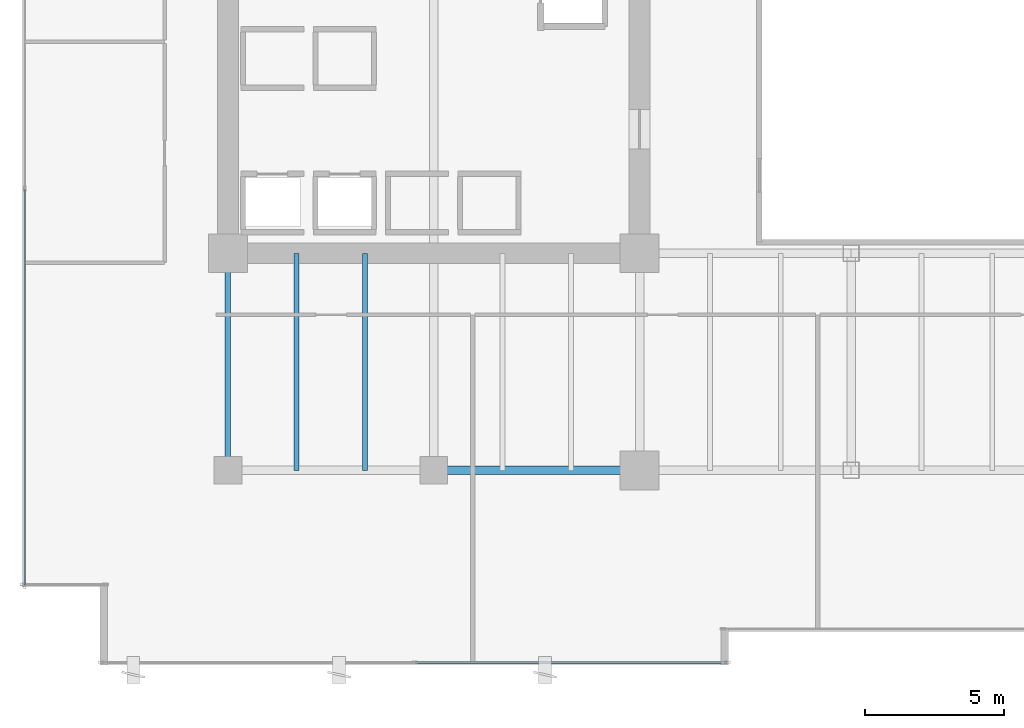
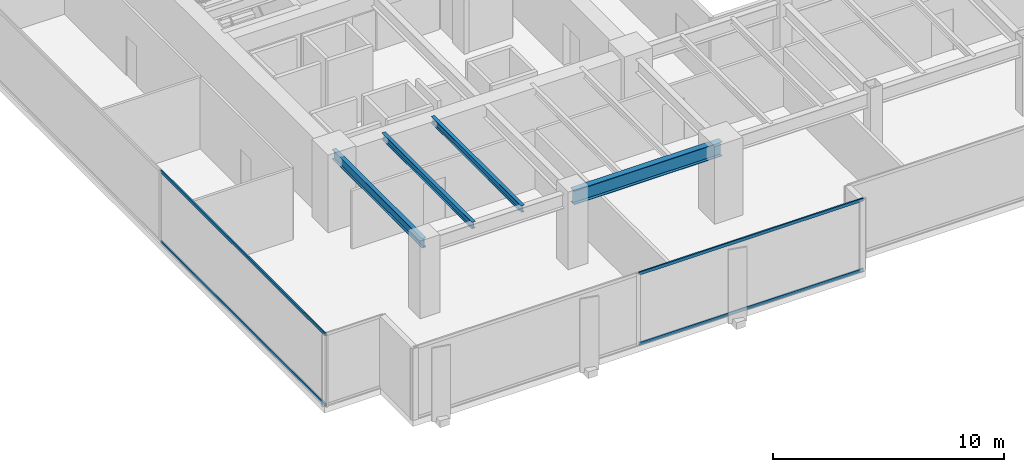
# One storey, part 3 of 36: 4 beams, 4 members, 2 elements without a shape of their own.
"""IFC4 building model written with IfcOpenShell, lengths in metres."""

from ifc_helpers import new_model, si_unit, direction, frame, origin, origin_2d, place, context, subcontext, project, spatial, hollow_rectangle, i_section, extrude, source, transform, mapped, material, layer, layer_set, material_profile, profile_set, type_object, type_shapes, element, aggregate, save


model = new_model("IFC4")

# Units and contexts
model_context = context("Model", 3, precision=1e-05, world=origin(), true_north=direction((0.0, 1.0)))
body_context = subcontext(model_context, "Body", "Model", "MODEL_VIEW")
ifc_project = project(units=[si_unit("LENGTHUNIT", "METRE"), si_unit("AREAUNIT", "SQUARE_METRE"), si_unit("VOLUMEUNIT", "CUBIC_METRE"), si_unit("PLANEANGLEUNIT", "RADIAN"), si_unit("MASSUNIT", "GRAM", prefix="KILO")], contexts=[model_context])

# Site, building, storey
site_placement = place(None, origin())
site = spatial("IfcSite", under=ifc_project, at=site_placement, CompositionType="ELEMENT")
building_placement = place(site_placement, origin())
building = spatial("IfcBuilding", under=site, at=building_placement, Name="Haelvirn Gate Laboratories", CompositionType="ELEMENT")
storey_placement = place(building_placement, frame((0.0, 0.0, 29.300048828125)))
storey = spatial("IfcBuildingStorey", under=building, at=storey_placement, Name="L07", CompositionType="ELEMENT", Elevation=29.300048828125)

# Beams
ifc_material_1 = material(Name="Steel SM355", Category="steel")
ifc_material_profile_1 = material_profile(ifc_material_1, i_section(OverallWidth=0.300048828125, OverallDepth=0.75, WebThickness=0.013916015625, FlangeThickness=0.02392578125, at=origin_2d()), Name="H-750x300x14x24")
ifc_profile_set_1 = profile_set([ifc_material_profile_1], Name="Steel SM355")
beam_type_1 = type_object("IfcBeamType", Name="BM-G-750", PredefinedType="BEAM", material=ifc_profile_set_1)
shared_shape_1 = source(origin(), body_context, "Body", "SweptSolid", [
    extrude(i_section(OverallWidth=0.300048828125, OverallDepth=0.75, WebThickness=0.013916015625, FlangeThickness=0.02392578125, at=origin_2d()), origin(), (0.0, 0.0, 1.0), 7.39990234375),
])
type_shapes(beam_type_1, [shared_shape_1])
beam_1_placement = place(storey_placement, frame((14.800048828125, 7.0, 3.405029296875), z_axis=(1.0, 0.0, 0.0), x_axis=(0.0, 1.0, 0.0)))
element("IfcBeam", 1, at=beam_1_placement, inside=storey, type_object=beam_type_1, Name="L07 Primary Girder Y7.0 (14.8-22.2)", PredefinedType="BEAM", context=body_context, shape_type="MappedRepresentation", body=[
    mapped(shared_shape_1, transform((0.0, 0.0, 0.0), scale=1.0)),
])
ifc_material_profile_2 = material_profile(ifc_material_1, i_section(OverallWidth=0.199951171875, OverallDepth=0.5, WebThickness=0.010009765625, FlangeThickness=0.01611328125, at=origin_2d()), Name="H-500x200x10x16")
ifc_profile_set_2 = profile_set([ifc_material_profile_2], Name="Steel SM355")
beam_type_2 = type_object("IfcBeamType", Name="BM-SP-500", PredefinedType="SPANDREL", material=ifc_profile_set_2)
shared_shape_2 = source(origin(), body_context, "Body", "SweptSolid", [
    extrude(i_section(OverallWidth=0.199951171875, OverallDepth=0.5, WebThickness=0.010009765625, FlangeThickness=0.01611328125, at=origin_2d()), origin(), (0.0, 0.0, 1.0), 7.800048828125),
])
type_shapes(beam_type_2, [shared_shape_2])
beam_2_placement = place(storey_placement, frame((7.39990234375, 7.0, 3.530029296875), z_axis=(0.0, 1.0, 0.0), x_axis=(-1.0, 0.0, 0.0)))
element("IfcBeam", 2, at=beam_2_placement, inside=storey, type_object=beam_type_2, Name="L07 Perimeter Spandrel X7.4 (7.0-14.8)", PredefinedType="SPANDREL", context=body_context, shape_type="MappedRepresentation", body=[
    mapped(shared_shape_2, transform((0.0, 0.0, 0.0), scale=1.0)),
])
ifc_material_profile_3 = material_profile(ifc_material_1, i_section(OverallWidth=0.175048828125, OverallDepth=0.35009765625, WebThickness=0.007080078125, FlangeThickness=0.010986328125, at=origin_2d()), Name="H-350x175x7x11")
ifc_profile_set_3 = profile_set([ifc_material_profile_3], Name="Steel SM355")
beam_type_3 = type_object("IfcBeamType", Name="BM-J-350", PredefinedType="JOIST", material=ifc_profile_set_3)
shared_shape_3 = source(origin(), body_context, "Body", "SweptSolid", [
    extrude(i_section(OverallWidth=0.175048828125, OverallDepth=0.35009765625, WebThickness=0.007080078125, FlangeThickness=0.010986328125, at=origin_2d()), origin(), (0.0, 0.0, 1.0), 7.800048828125),
])
type_shapes(beam_type_3, [shared_shape_3])
for number, where, z_axis, x_axis, name in (
    (3, (9.8701171875, 7.0, 3.60498046875), (0.0, 1.0, 0.0), (-1.0, 0.0, 0.0), "L07 Composite Lab Joist South X9.87"),
    (4, (12.330078125, 7.0, 3.60498046875), (0.0, 1.0, 0.0), (-1.0, 0.0, 0.0), "L07 Composite Lab Joist South X12.33"),
):
    element("IfcBeam", number, at=place(storey_placement, frame(where, z_axis=z_axis, x_axis=x_axis)), inside=storey, type_object=beam_type_3, Name=name, PredefinedType="JOIST", context=body_context, shape_type="MappedRepresentation", body=[
        mapped(shared_shape_3, transform((0.0, 0.0, 0.0), scale=1.0)),
    ])

# Curtain wall, members
ifc_material_2 = material(Name="Anodised bronze unitised aluminium & triple low-E glass", Category="aluminium")
ifc_layer = layer(ifc_material_2, 0.18408203125, Name="CW-SYS-2")
ifc_layer_set = layer_set([ifc_layer], Name="Anodised bronze unitised aluminium & triple low-E glass")
curtain_wall_type = type_object("IfcCurtainWallType", Name="CW-SYS-2", PredefinedType="NOTDEFINED", material=ifc_layer_set)
curtain_wall_1_placement = place(storey_placement, origin())
curtain_wall_1 = element("IfcCurtainWall", 5, at=curtain_wall_1_placement, inside=storey, type_object=curtain_wall_type, Name="L07 Unitised Curtain Wall CW-L07-P0-E00-1", PredefinedType="NOTDEFINED")
ifc_material_3 = material(Name="Extruded aluminium 6063-T6 (anodised bronze)", Category="aluminium")
ifc_material_profile_4 = material_profile(ifc_material_3, hollow_rectangle(XDim=0.070068359375, YDim=0.159912109375, WallThickness=0.0048828125, at=origin_2d()), Name="CWT-160x70x5")
ifc_profile_set_4 = profile_set([ifc_material_profile_4], Name="Extruded aluminium 6063-T6 (anodised bronze)")
member_type = type_object("IfcMemberType", Name="CWT-T160", PredefinedType="USERDEFINED", material=ifc_profile_set_4)
shared_shape_4 = source(origin(), body_context, "Body", "SweptSolid", [
    extrude(hollow_rectangle(XDim=0.070068359375, YDim=0.159912109375, WallThickness=0.0048828125, at=origin_2d()), origin(), (0.0, 0.0, 1.0), 11.1875),
])
member_1_placement = place(storey_placement, frame((14.137451171875, 0.10009765625, 0.034912109375), z_axis=(1.0, 0.0, 0.0), x_axis=(0.0, 1.0, 0.0)))
member_1 = element("IfcMember", 6, at=member_1_placement, type_object=member_type, Name="CW2 transom 2.1", ObjectType="TRANSOM", PredefinedType="USERDEFINED", context=body_context, shape_type="MappedRepresentation", body=[
    mapped(shared_shape_4, transform((0.0, 0.0, 0.0), scale=1.0)),
])
member_2_placement = place(storey_placement, frame((14.137451171875, 0.10009765625, 3.744873046875), z_axis=(1.0, 0.0, 0.0), x_axis=(0.0, 1.0, 0.0)))
member_2 = element("IfcMember", 7, at=member_2_placement, type_object=member_type, Name="CW2 transom 2.2", ObjectType="TRANSOM", PredefinedType="USERDEFINED", context=body_context, shape_type="MappedRepresentation", body=[
    mapped(shared_shape_4, transform((0.0, 0.0, 0.0), scale=1.0)),
])
aggregate(curtain_wall_1, [member_1, member_2])

curtain_wall_2_placement = place(storey_placement, origin())
curtain_wall_2 = element("IfcCurtainWall", 8, at=curtain_wall_2_placement, inside=storey, type_object=curtain_wall_type, Name="L07 Unitised Curtain Wall CW-L07-P0-E17", PredefinedType="NOTDEFINED")
shared_shape_5 = source(origin(), body_context, "Body", "SweptSolid", [
    extrude(hollow_rectangle(XDim=0.070068359375, YDim=0.159912109375, WallThickness=0.0048828125, at=origin_2d()), origin(), (0.0, 0.0, 1.0), 14.220947265625),
])
type_shapes(member_type, [shared_shape_4, shared_shape_5])
member_3_placement = place(storey_placement, frame((0.10009765625, 17.095947265625, 0.034912109375), z_axis=(0.0, -1.0, 0.0), x_axis=(1.0, 0.0, 0.0)))
member_3 = element("IfcMember", 9, at=member_3_placement, type_object=member_type, Name="CW2 transom 3.1", ObjectType="TRANSOM", PredefinedType="USERDEFINED", context=body_context, shape_type="MappedRepresentation", body=[
    mapped(shared_shape_5, transform((0.0, 0.0, 0.0), scale=1.0)),
])
member_4_placement = place(storey_placement, frame((0.10009765625, 17.095947265625, 3.744873046875), z_axis=(0.0, -1.0, 0.0), x_axis=(1.0, 0.0, 0.0)))
member_4 = element("IfcMember", 10, at=member_4_placement, type_object=member_type, Name="CW2 transom 3.2", ObjectType="TRANSOM", PredefinedType="USERDEFINED", context=body_context, shape_type="MappedRepresentation", body=[
    mapped(shared_shape_5, transform((0.0, 0.0, 0.0), scale=1.0)),
])
aggregate(curtain_wall_2, [member_3, member_4])

save(model, "model.ifc")
